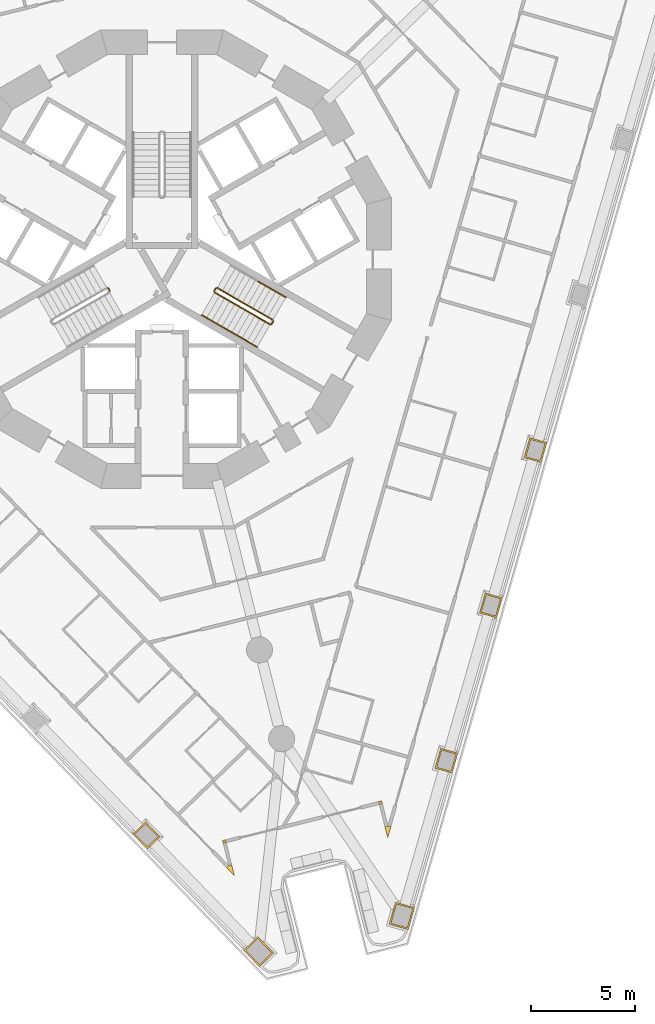
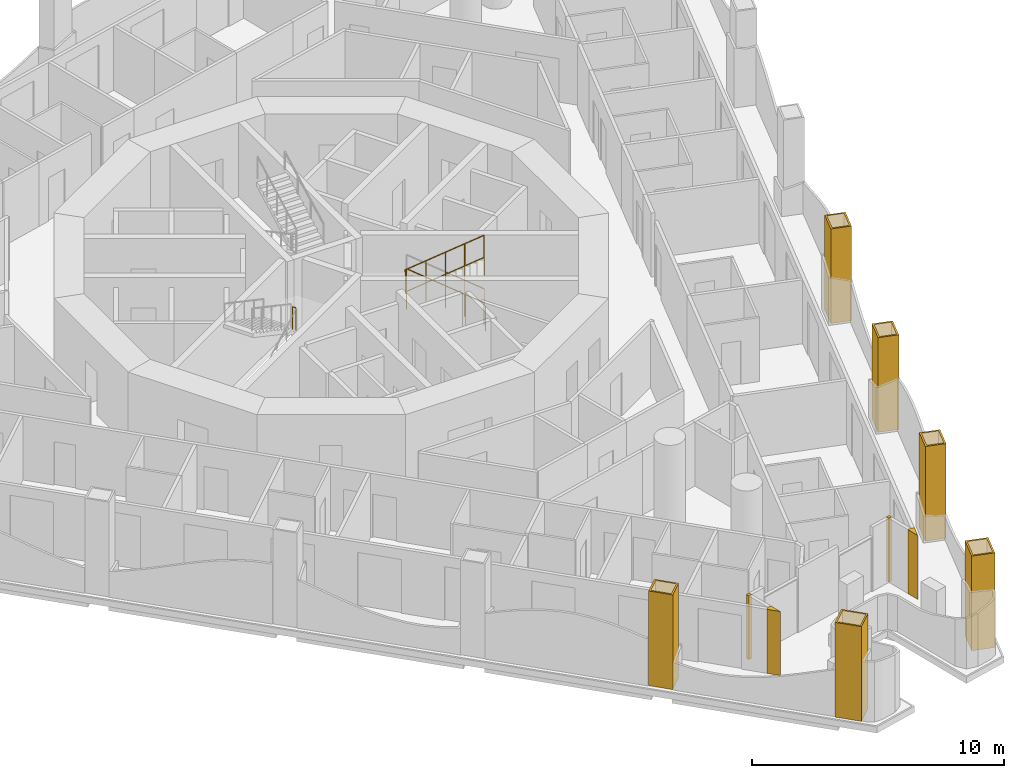
# One storey, part 15 of 20: 10 coverings, 8 railings.
"""IFC4 building model written with IfcOpenShell, lengths in metres."""

from ifc_helpers import new_model, si_unit, direction, frame, origin, origin_2d, place, context, subcontext, project, spatial, polyline, circle, outline, extrude, material, layer, layer_set, type_object, element, save


model = new_model("IFC4")

# Units and contexts
model_context = context("Model", 3, precision=1e-05, world=origin(), true_north=direction((0.0, 1.0)))
body_context = subcontext(model_context, "Body", "Model", "MODEL_VIEW")
ifc_project = project(units=[si_unit("LENGTHUNIT", "METRE"), si_unit("AREAUNIT", "SQUARE_METRE"), si_unit("VOLUMEUNIT", "CUBIC_METRE"), si_unit("PLANEANGLEUNIT", "RADIAN"), si_unit("MASSUNIT", "GRAM", prefix="KILO")], contexts=[model_context])

# Site, building, storey
site_placement = place(None, origin())
site = spatial("IfcSite", under=ifc_project, at=site_placement, CompositionType="ELEMENT")
building_placement = place(site_placement, origin())
building = spatial("IfcBuilding", under=site, at=building_placement, Name="Trine Commons Tower", CompositionType="ELEMENT")
storey_placement = place(building_placement, frame((0.0, 0.0, 116.10009765625)))
storey = spatial("IfcBuildingStorey", under=building, at=storey_placement, Name="L29", CompositionType="ELEMENT", Elevation=116.10009765625)

# Coverings
ifc_material_1 = material(Name="Aluminium-framed insulated wall panel", Category="aluminium")
ifc_layer_1 = layer(ifc_material_1, 0.14990234375)
ifc_layer_set_1 = layer_set([ifc_layer_1], Name="Aluminium-framed insulated wall panel")
covering_type_1 = type_object("IfcCoveringType", Name="Glazing corner post, aluminium", PredefinedType="CLADDING", material=ifc_layer_set_1)
covering_1_placement = place(storey_placement, origin())
element("IfcCovering", 1, at=covering_1_placement, inside=storey, type_object=covering_type_1, Name="Glazing corner post 3-09", PredefinedType="CLADDING", context=body_context, shape_type="SweptSolid", body=[
    extrude(outline(polyline([(90.701416015625, 35.24560546875), (90.836669921875, 34.70263671875), (90.990966796875, 35.24072265625), (90.8466796875, 35.281982421875), (90.701416015625, 35.24560546875)])), origin(), (0.0, 0.0, 1.0), 3.099853515625),
])
covering_2_placement = place(storey_placement, origin())
element("IfcCovering", 2, at=covering_2_placement, inside=storey, type_object=covering_type_1, Name="Glazing corner post 3-10", PredefinedType="CLADDING", context=body_context, shape_type="SweptSolid", body=[
    extrude(outline(polyline([(90.40234375, 36.44482421875), (90.438720703125, 36.29931640625), (90.584228515625, 36.33544921875), (90.5478515625, 36.481201171875), (90.40234375, 36.44482421875)])), origin(), (0.0, 0.0, 1.0), 3.099853515625),
])
covering_3_placement = place(storey_placement, origin())
element("IfcCovering", 3, at=covering_3_placement, inside=storey, type_object=covering_type_1, Name="Glazing corner post 3-11", PredefinedType="CLADDING", context=body_context, shape_type="SweptSolid", body=[
    extrude(outline(polyline([(82.938232421875, 34.42919921875), (83.083740234375, 34.465576171875), (83.047607421875, 34.611083984375), (82.90185546875, 34.57470703125), (82.938232421875, 34.42919921875)])), origin(), (0.0, 0.0, 1.0), 3.099853515625),
])
covering_4_placement = place(storey_placement, origin())
element("IfcCovering", 4, at=covering_4_placement, inside=storey, type_object=covering_type_1, Name="Glazing corner post 3-12", PredefinedType="CLADDING", context=body_context, shape_type="SweptSolid", body=[
    extrude(outline(polyline([(83.093017578125, 33.271484375), (83.48193359375, 32.868896484375), (83.346435546875, 33.412109375), (83.200927734375, 33.375732421875), (83.093017578125, 33.271484375)])), origin(), (0.0, 0.0, 1.0), 3.099853515625),
])
ifc_material_2 = material(Name="Limestone, honed", Category="masonry")
ifc_layer_2 = layer(ifc_material_2, 0.074951171875)
ifc_layer_set_2 = layer_set([ifc_layer_2], Name="Limestone, honed")
covering_type_2 = type_object("IfcCoveringType", Name="Limestone column cladding 75", PredefinedType="CLADDING", material=ifc_layer_set_2)
covering_5_placement = place(storey_placement, origin())
element("IfcCovering", 5, at=covering_5_placement, inside=storey, type_object=covering_type_2, Name="Limestone pier cladding 3-01", PredefinedType="CLADDING", context=body_context, shape_type="SweptSolid", body=[
    extrude(outline(polyline([(84.600341796875, 29.961669921875), (83.9169921875, 29.3017578125), (84.68115234375, 28.510498046875), (85.364501953125, 29.17041015625), (84.600341796875, 29.961669921875)]), holes=[polyline([(84.598388671875, 29.85546875), (84.02294921875, 29.2998046875), (84.682861328125, 28.616455078125), (85.25830078125, 29.172119140625), (84.598388671875, 29.85546875)])]), origin(), (0.0, 0.0, 1.0), 4.58740234375),
])
covering_6_placement = place(storey_placement, origin())
element("IfcCovering", 6, at=covering_6_placement, inside=storey, type_object=covering_type_2, Name="Limestone pier cladding 3-02", PredefinedType="CLADDING", context=body_context, shape_type="SweptSolid", body=[
    extrude(outline(polyline([(79.210205078125, 35.47119140625), (78.5986328125, 34.880859375), (79.293212890625, 34.16162109375), (79.90478515625, 34.751953125), (79.210205078125, 35.47119140625)]), holes=[polyline([(79.208251953125, 35.365234375), (78.70458984375, 34.87890625), (79.295166015625, 34.267578125), (79.798583984375, 34.75390625), (79.208251953125, 35.365234375)])]), origin(), (0.0, 0.0, 1.0), 4.58740234375),
])
covering_7_placement = place(storey_placement, origin())
element("IfcCovering", 7, at=covering_7_placement, inside=storey, type_object=covering_type_2, Name="Limestone pier cladding 3-21", PredefinedType="CLADDING", context=body_context, shape_type="SweptSolid", body=[
    extrude(outline(polyline([(98.48046875, 53.685791015625), (97.663330078125, 53.920166015625), (97.3876953125, 52.958984375), (98.20458984375, 52.724609375), (98.48046875, 53.685791015625)]), holes=[polyline([(98.3876953125, 53.634521484375), (97.714599609375, 53.827392578125), (97.48046875, 53.01025390625), (98.1533203125, 52.8173828125), (98.3876953125, 53.634521484375)])]), origin(), (0.0, 0.0, 1.0), 4.58740234375),
])
covering_8_placement = place(storey_placement, origin())
element("IfcCovering", 8, at=covering_8_placement, inside=storey, type_object=covering_type_2, Name="Limestone pier cladding 3-22", PredefinedType="CLADDING", context=body_context, shape_type="SweptSolid", body=[
    extrude(outline(polyline([(96.342041015625, 46.228759765625), (95.52490234375, 46.462890625), (95.249267578125, 45.501708984375), (96.06640625, 45.267333984375), (96.342041015625, 46.228759765625)]), holes=[polyline([(96.249267578125, 46.17724609375), (95.576416015625, 46.3701171875), (95.342041015625, 45.552978515625), (96.014892578125, 45.360107421875), (96.249267578125, 46.17724609375)])]), origin(), (0.0, 0.0, 1.0), 4.58740234375),
])
covering_9_placement = place(storey_placement, origin())
element("IfcCovering", 9, at=covering_9_placement, inside=storey, type_object=covering_type_2, Name="Limestone pier cladding 3-23", PredefinedType="CLADDING", context=body_context, shape_type="SweptSolid", body=[
    extrude(outline(polyline([(94.203857421875, 38.771484375), (93.38671875, 39.005859375), (93.111083984375, 38.044677734375), (93.927978515625, 37.810302734375), (94.203857421875, 38.771484375)]), holes=[polyline([(94.111083984375, 38.72021484375), (93.43798828125, 38.9130859375), (93.203857421875, 38.095947265625), (93.876708984375, 37.903076171875), (94.111083984375, 38.72021484375)])]), origin(), (0.0, 0.0, 1.0), 4.58740234375),
])
covering_10_placement = place(storey_placement, origin())
element("IfcCovering", 10, at=covering_10_placement, inside=storey, type_object=covering_type_2, Name="Limestone pier cladding 3-24", PredefinedType="CLADDING", context=body_context, shape_type="SweptSolid", body=[
    extrude(outline(polyline([(92.127197265625, 31.348876953125), (91.214111328125, 31.610595703125), (90.910888671875, 30.55322265625), (91.82421875, 30.29150390625), (92.127197265625, 31.348876953125)]), holes=[polyline([(92.034423828125, 31.29736328125), (91.265380859375, 31.517822265625), (91.003662109375, 30.604736328125), (91.772705078125, 30.384033203125), (92.034423828125, 31.29736328125)])]), origin(), (0.0, 0.0, 1.0), 4.58740234375),
])

# Railings
ifc_material_3 = material(Name="Stainless steel balustrade", Category="steel")
railing_type_1 = type_object("IfcRailingType", Name="Stair guard, steel balustrade 1100", PredefinedType="GUARDRAIL", material=ifc_material_3)
railing_1_placement = place(storey_placement, frame((77.490966796875, 60.96484375, 1.7998046875)))
element("IfcRailing", 11, at=railing_1_placement, inside=storey, type_object=railing_type_1, Name="L29 ST2A stair guard 2", PredefinedType="GUARDRAIL", context=body_context, shape_type="SweptSolid", body=[
    extrude(circle(Radius=0.02392578125, at=origin_2d()), frame((0.0, 0.0, 1.076171875), z_axis=(-0.501036270542, 0.865426285481, 0.0), x_axis=(-0.865426285481, -0.501036270542, 0.0)), (0.0, 0.0, 1.0), 0.150146484375),
    extrude(circle(Radius=0.02099609375, at=origin_2d()), origin(), (0.0, 0.0, 1.0), 1.052001953125),
    extrude(circle(Radius=0.02099609375, at=origin_2d()), frame((-0.0751953125, 0.1298828125, 0.0)), (0.0, 0.0, 1.0), 1.052001953125),
])
railing_2_placement = place(storey_placement, frame((85.31982421875, 59.572998046875, 0.14990234375)))
element("IfcRailing", 12, at=railing_2_placement, inside=storey, type_object=railing_type_1, Name="L29 ST3A stair guard 1", PredefinedType="GUARDRAIL", context=body_context, shape_type="SweptSolid", body=[
    extrude(circle(Radius=0.02392578125, at=origin_2d()), frame((0.0, 0.0, 1.076171875), z_axis=(-0.76340495495, 0.440743040072, 0.472184759798), x_axis=(-0.499992328818, -0.866029832698, 0.0)), (0.0, 0.0, 1.0), 3.494140625),
    extrude(circle(Radius=0.02099609375, at=origin_2d()), origin(), (0.0, 0.0, 1.0), 1.052001953125),
    extrude(circle(Radius=0.02099609375, at=origin_2d()), frame((-0.6669921875, 0.385009765625, 0.41259765625)), (0.0, 0.0, 1.0), 1.052001953125),
    extrude(circle(Radius=0.02099609375, at=origin_2d()), frame((-1.333740234375, 0.77001953125, 0.824951171875)), (0.0, 0.0, 1.0), 1.052001953125),
    extrude(circle(Radius=0.02099609375, at=origin_2d()), frame((-2.00048828125, 1.155029296875, 1.2373046875)), (0.0, 0.0, 1.0), 1.052001953125),
    extrude(circle(Radius=0.02099609375, at=origin_2d()), frame((-2.66748046875, 1.5400390625, 1.64990234375)), (0.0, 0.0, 1.0), 1.052001953125),
])
railing_3_placement = place(storey_placement, frame((82.584228515625, 61.0947265625, 1.7998046875)))
element("IfcRailing", 13, at=railing_3_placement, inside=storey, type_object=railing_type_1, Name="L29 ST3A stair guard 2", PredefinedType="GUARDRAIL", context=body_context, shape_type="SweptSolid", body=[
    extrude(circle(Radius=0.02392578125, at=origin_2d()), frame((0.0, 0.0, 1.076171875), z_axis=(-0.501036270542, -0.865426285481, 0.0), x_axis=(0.865426285481, -0.501036270542, 0.0)), (0.0, 0.0, 1.0), 0.150146484375),
    extrude(circle(Radius=0.02099609375, at=origin_2d()), origin(), (0.0, 0.0, 1.0), 1.052001953125),
    extrude(circle(Radius=0.02099609375, at=origin_2d()), frame((-0.0751953125, -0.1298828125, 0.0)), (0.0, 0.0, 1.0), 1.052001953125),
])
railing_4_placement = place(storey_placement, frame((82.52734375, 60.896484375, 1.949951171875)))
element("IfcRailing", 14, at=railing_4_placement, inside=storey, type_object=railing_type_1, Name="L29 ST3A stair guard 3", PredefinedType="GUARDRAIL", context=body_context, shape_type="SweptSolid", body=[
    extrude(circle(Radius=0.02392578125, at=origin_2d()), frame((0.0, 0.0, 1.076171875), z_axis=(0.76340495495, -0.440743040072, 0.472184759798), x_axis=(0.499992328818, 0.866029832698, 0.0)), (0.0, 0.0, 1.0), 3.494140625),
    extrude(circle(Radius=0.02099609375, at=origin_2d()), origin(), (0.0, 0.0, 1.0), 1.052001953125),
    extrude(circle(Radius=0.02099609375, at=origin_2d()), frame((0.6669921875, -0.385009765625, 0.41259765625)), (0.0, 0.0, 1.0), 1.052001953125),
    extrude(circle(Radius=0.02099609375, at=origin_2d()), frame((1.333740234375, -0.77001953125, 0.824951171875)), (0.0, 0.0, 1.0), 1.052001953125),
    extrude(circle(Radius=0.02099609375, at=origin_2d()), frame((2.00048828125, -1.155029296875, 1.2373046875)), (0.0, 0.0, 1.0), 1.052001953125),
    extrude(circle(Radius=0.02099609375, at=origin_2d()), frame((2.66748046875, -1.5400390625, 1.64990234375)), (0.0, 0.0, 1.0), 1.052001953125),
])
railing_5_placement = place(storey_placement, frame((85.338134765625, 59.504638671875, 0.0)))
element("IfcRailing", 15, at=railing_5_placement, inside=storey, type_object=railing_type_1, Name="L29 ST3A stair guard 4", PredefinedType="GUARDRAIL", context=body_context, shape_type="SweptSolid", body=[
    extrude(circle(Radius=0.02392578125, at=origin_2d()), frame((0.0, 0.0, 1.076171875), z_axis=(-0.499816412211, -0.866131372301, 0.0), x_axis=(0.866131372301, -0.499816412211, 0.0)), (0.0, 0.0, 1.0), 0.14990234375),
    extrude(circle(Radius=0.02099609375, at=origin_2d()), origin(), (0.0, 0.0, 1.0), 1.052001953125),
    extrude(circle(Radius=0.02099609375, at=origin_2d()), frame((-0.074951171875, -0.1298828125, 0.0)), (0.0, 0.0, 1.0), 1.052001953125),
])
ifc_material_4 = material(Name="Stainless steel handrail", Category="steel")
railing_type_2 = type_object("IfcRailingType", Name="Stair handrail, steel 900", PredefinedType="HANDRAIL", material=ifc_material_4)
railing_6_placement = place(storey_placement, frame((85.94482421875, 60.655517578125, 0.14990234375)))
element("IfcRailing", 16, at=railing_6_placement, inside=storey, type_object=railing_type_2, Name="L29 ST3A stair handrail 1", PredefinedType="HANDRAIL", context=body_context, shape_type="SweptSolid", body=[
    extrude(circle(Radius=0.02099609375, at=origin_2d()), frame((0.0, 0.0, 0.87890625), z_axis=(-0.76340495495, 0.440743040072, 0.472184759798), x_axis=(-0.499992328818, -0.866029832698, 0.0)), (0.0, 0.0, 1.0), 1.7470703125),
    extrude(circle(Radius=0.01513671875, at=origin_2d()), origin(), (0.0, 0.0, 1.0), 0.85791015625),
    extrude(circle(Radius=0.01513671875, at=origin_2d()), frame((-0.6669921875, 0.385009765625, 0.41259765625)), (0.0, 0.0, 1.0), 0.85791015625),
    extrude(circle(Radius=0.01513671875, at=origin_2d()), frame((-1.333740234375, 0.77001953125, 0.824951171875)), (0.0, 0.0, 1.0), 0.85791015625),
])
for number, where, name in (
    (17, (81.90234375, 59.81396484375, 1.949951171875), "L29 ST3A stair handrail 3"),
    (18, (83.236083984375, 59.0439453125, 2.77490234375), "L29 ST3A stair handrail 4"),
):
    element("IfcRailing", number, at=place(storey_placement, frame(where)), inside=storey, type_object=railing_type_2, Name=name, PredefinedType="HANDRAIL", context=body_context, shape_type="SweptSolid", body=[
        extrude(circle(Radius=0.02099609375, at=origin_2d()), frame((0.0, 0.0, 0.87890625), z_axis=(0.76340495495, -0.440743040072, 0.472184759798), x_axis=(0.499992328818, 0.866029832698, 0.0)), (0.0, 0.0, 1.0), 1.7470703125),
        extrude(circle(Radius=0.01513671875, at=origin_2d()), origin(), (0.0, 0.0, 1.0), 0.85791015625),
        extrude(circle(Radius=0.01513671875, at=origin_2d()), frame((0.6669921875, -0.385009765625, 0.41259765625)), (0.0, 0.0, 1.0), 0.85791015625),
        extrude(circle(Radius=0.01513671875, at=origin_2d()), frame((1.333740234375, -0.77001953125, 0.824951171875)), (0.0, 0.0, 1.0), 0.85791015625),
    ])

save(model, "model.ifc")
